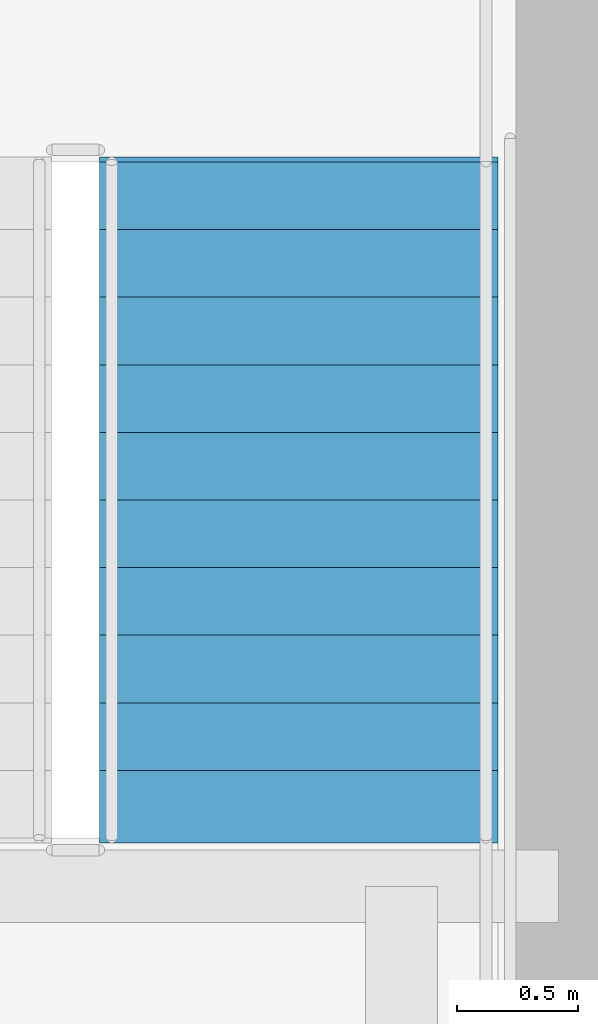
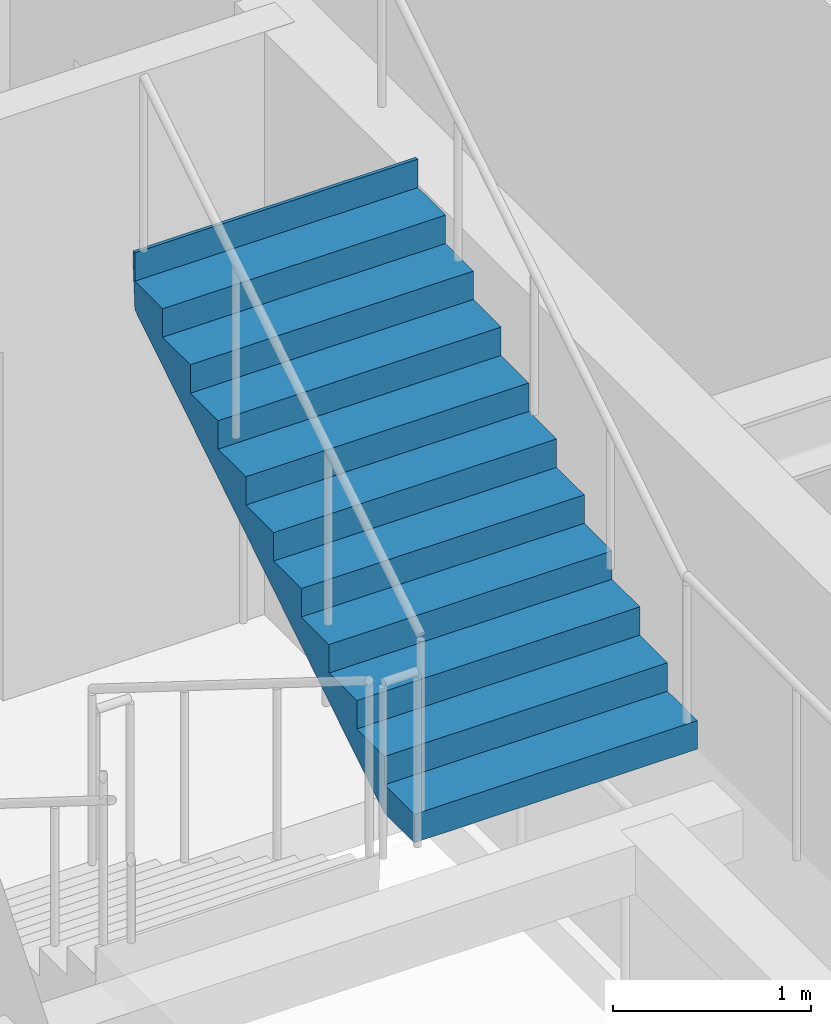
# One storey, part 32 of 37: 1 stair flight, 1 element without a shape of its own.
"""IFC4 building model written with IfcOpenShell, lengths in metres."""

from ifc_helpers import new_model, si_unit, direction, frame, origin, place, context, subcontext, project, spatial, polygons, material, type_object, element, aggregate, save


model = new_model("IFC4")

# Units and contexts
model_context = context("Model", 3, precision=1e-05, world=origin(), true_north=direction((0.0, 1.0)))
body_context = subcontext(model_context, "Body", "Model", "MODEL_VIEW")
ifc_project = project(units=[si_unit("LENGTHUNIT", "METRE"), si_unit("AREAUNIT", "SQUARE_METRE"), si_unit("VOLUMEUNIT", "CUBIC_METRE"), si_unit("PLANEANGLEUNIT", "RADIAN"), si_unit("MASSUNIT", "GRAM", prefix="KILO")], contexts=[model_context])

# Site, building, storey
site_placement = place(None, origin())
site = spatial("IfcSite", under=ifc_project, at=site_placement, CompositionType="ELEMENT")
building_placement = place(site_placement, origin())
building = spatial("IfcBuilding", under=site, at=building_placement, Name="Serunith Strait Residences", CompositionType="ELEMENT")
storey_placement = place(building_placement, frame((0.0, 0.0, 233.550048828125)))
storey = spatial("IfcBuildingStorey", under=building, at=storey_placement, Name="L58", CompositionType="ELEMENT", Elevation=233.550048828125)

# Stair, stair flight
ifc_material = material(Name="Concrete C50/60", Category="concrete")
stair_type = type_object("IfcStairType", Name="STR-CORE-2", PredefinedType="HALF_TURN_STAIR", material=ifc_material)
stair_placement = place(storey_placement, origin())
stair = element("IfcStair", 1, at=stair_placement, inside=storey, type_object=stair_type, Name="L58 Protected Escape Stair ST-2", PredefinedType="HALF_TURN_STAIR")
stair_flight_type = type_object("IfcStairFlightType", Name="FLT-CORE-2", PredefinedType="STRAIGHT", material=ifc_material)
stair_flight_placement = place(storey_placement, frame((40.324951171875, 20.570068359375, 1.925048828125), z_axis=(0.0, 0.0, 1.0), x_axis=(0.0, 1.0, 0.0)))
stair_flight = element("IfcStairFlight", 2, at=stair_flight_placement, type_object=stair_flight_type, Name="ST-2 flight 2", NumberOfRisers=11, NumberOfTreads=10, PredefinedType="STRAIGHT", RiserHeight=0.175, TreadLength=0.28, context=body_context, shape_type="Tessellation", body=[
    polygons([(-0.02001953125, -0.824951171875, 0.0), (-0.02001953125, -0.824951171875, 0.175048828125), (0.280029296875, -0.824951171875, 0.175048828125), (0.280029296875, -0.824951171875, 0.35009765625), (0.56005859375, -0.824951171875, 0.35009765625), (0.56005859375, -0.824951171875, 0.52490234375), (0.840087890625, -0.824951171875, 0.52490234375), (0.840087890625, -0.824951171875, 0.699951171875), (1.1201171875, -0.824951171875, 0.699951171875), (1.1201171875, -0.824951171875, 0.875), (1.39990234375, -0.824951171875, 0.875), (1.39990234375, -0.824951171875, 1.050048828125), (1.679931640625, -0.824951171875, 1.050048828125), (1.679931640625, -0.824951171875, 1.22509765625), (1.9599609375, -0.824951171875, 1.22509765625), (1.9599609375, -0.824951171875, 1.39990234375), (2.239990234375, -0.824951171875, 1.39990234375), (2.239990234375, -0.824951171875, 1.574951171875), (2.52001953125, -0.824951171875, 1.574951171875), (2.52001953125, -0.824951171875, 1.75), (2.800048828125, -0.824951171875, 1.75), (2.800048828125, -0.824951171875, 1.925048828125), (2.820068359375, -0.824951171875, 1.925048828125), (2.820068359375, -0.824951171875, 1.864990234375), (2.800048828125, -0.824951171875, 1.5732421875), (0.28271484375, -0.824951171875, 0.0), (-0.02001953125, -0.41259765625, 0.0), (-0.02001953125, -0.41259765625, 0.175048828125), (0.280029296875, -0.41259765625, 0.175048828125), (0.280029296875, -0.41259765625, 0.35009765625), (0.56005859375, -0.41259765625, 0.35009765625), (0.56005859375, -0.41259765625, 0.52490234375), (0.840087890625, -0.41259765625, 0.52490234375), (0.840087890625, -0.41259765625, 0.699951171875), (1.1201171875, -0.41259765625, 0.699951171875), (1.1201171875, -0.41259765625, 0.875), (1.39990234375, -0.41259765625, 0.875), (1.39990234375, -0.41259765625, 1.050048828125), (1.679931640625, -0.41259765625, 1.050048828125), (1.679931640625, -0.41259765625, 1.22509765625), (1.9599609375, -0.41259765625, 1.22509765625), (1.9599609375, -0.41259765625, 1.39990234375), (2.239990234375, -0.41259765625, 1.39990234375), (2.239990234375, -0.41259765625, 1.574951171875), (2.52001953125, -0.41259765625, 1.574951171875), (2.52001953125, -0.41259765625, 1.75), (2.800048828125, -0.41259765625, 1.75), (2.800048828125, -0.41259765625, 1.925048828125), (2.820068359375, -0.41259765625, 1.925048828125), (2.820068359375, -0.41259765625, 1.864990234375), (2.800048828125, -0.41259765625, 1.5732421875), (0.28271484375, -0.41259765625, 0.0), (-0.02001953125, 0.0, 0.0), (-0.02001953125, 0.0, 0.175048828125), (0.280029296875, 0.0, 0.175048828125), (0.280029296875, 0.0, 0.35009765625), (0.56005859375, 0.0, 0.35009765625), (0.56005859375, 0.0, 0.52490234375), (0.840087890625, 0.0, 0.52490234375), (0.840087890625, 0.0, 0.699951171875), (1.1201171875, 0.0, 0.699951171875), (1.1201171875, 0.0, 0.875), (1.39990234375, 0.0, 0.875), (1.39990234375, 0.0, 1.050048828125), (1.679931640625, 0.0, 1.050048828125), (1.679931640625, 0.0, 1.22509765625), (1.9599609375, 0.0, 1.22509765625), (1.9599609375, 0.0, 1.39990234375), (2.239990234375, 0.0, 1.39990234375), (2.239990234375, 0.0, 1.574951171875), (2.52001953125, 0.0, 1.574951171875), (2.52001953125, 0.0, 1.75), (2.800048828125, 0.0, 1.75), (2.800048828125, 0.0, 1.925048828125), (2.820068359375, 0.0, 1.925048828125), (2.820068359375, 0.0, 1.864990234375), (2.800048828125, 0.0, 1.5732421875), (0.28271484375, 0.0, 0.0), (-0.02001953125, 0.41259765625, 0.0), (-0.02001953125, 0.41259765625, 0.175048828125), (0.280029296875, 0.41259765625, 0.175048828125), (0.280029296875, 0.41259765625, 0.35009765625), (0.56005859375, 0.41259765625, 0.35009765625), (0.56005859375, 0.41259765625, 0.52490234375), (0.840087890625, 0.41259765625, 0.52490234375), (0.840087890625, 0.41259765625, 0.699951171875), (1.1201171875, 0.41259765625, 0.699951171875), (1.1201171875, 0.41259765625, 0.875), (1.39990234375, 0.41259765625, 0.875), (1.39990234375, 0.41259765625, 1.050048828125), (1.679931640625, 0.41259765625, 1.050048828125), (1.679931640625, 0.41259765625, 1.22509765625), (1.9599609375, 0.41259765625, 1.22509765625), (1.9599609375, 0.41259765625, 1.39990234375), (2.239990234375, 0.41259765625, 1.39990234375), (2.239990234375, 0.41259765625, 1.574951171875), (2.52001953125, 0.41259765625, 1.574951171875), (2.52001953125, 0.41259765625, 1.75), (2.800048828125, 0.41259765625, 1.75), (2.800048828125, 0.41259765625, 1.925048828125), (2.820068359375, 0.41259765625, 1.925048828125), (2.820068359375, 0.41259765625, 1.864990234375), (2.800048828125, 0.41259765625, 1.5732421875), (0.28271484375, 0.41259765625, 0.0), (-0.02001953125, 0.824951171875, 0.0), (-0.02001953125, 0.824951171875, 0.175048828125), (0.280029296875, 0.824951171875, 0.175048828125), (0.280029296875, 0.824951171875, 0.35009765625), (0.56005859375, 0.824951171875, 0.35009765625), (0.56005859375, 0.824951171875, 0.52490234375), (0.840087890625, 0.824951171875, 0.52490234375), (0.840087890625, 0.824951171875, 0.699951171875), (1.1201171875, 0.824951171875, 0.699951171875), (1.1201171875, 0.824951171875, 0.875), (1.39990234375, 0.824951171875, 0.875), (1.39990234375, 0.824951171875, 1.050048828125), (1.679931640625, 0.824951171875, 1.050048828125), (1.679931640625, 0.824951171875, 1.22509765625), (1.9599609375, 0.824951171875, 1.22509765625), (1.9599609375, 0.824951171875, 1.39990234375), (2.239990234375, 0.824951171875, 1.39990234375), (2.239990234375, 0.824951171875, 1.574951171875), (2.52001953125, 0.824951171875, 1.574951171875), (2.52001953125, 0.824951171875, 1.75), (2.800048828125, 0.824951171875, 1.75), (2.800048828125, 0.824951171875, 1.925048828125), (2.820068359375, 0.824951171875, 1.925048828125), (2.820068359375, 0.824951171875, 1.864990234375), (2.800048828125, 0.824951171875, 1.5732421875), (0.28271484375, 0.824951171875, 0.0)], [[[1, 2, 28, 27]], [[2, 3, 29, 28]], [[3, 4, 30, 29]], [[4, 5, 31, 30]], [[5, 6, 32, 31]], [[6, 7, 33, 32]], [[7, 8, 34, 33]], [[8, 9, 35, 34]], [[9, 10, 36, 35]], [[10, 11, 37, 36]], [[11, 12, 38, 37]], [[12, 13, 39, 38]], [[13, 14, 40, 39]], [[14, 15, 41, 40]], [[15, 16, 42, 41]], [[16, 17, 43, 42]], [[17, 18, 44, 43]], [[18, 19, 45, 44]], [[19, 20, 46, 45]], [[20, 21, 47, 46]], [[21, 22, 48, 47]], [[22, 23, 49, 48]], [[23, 24, 50, 49]], [[24, 25, 51, 50]], [[25, 26, 52, 51]], [[26, 1, 27, 52]], [[27, 28, 54, 53]], [[28, 29, 55, 54]], [[29, 30, 56, 55]], [[30, 31, 57, 56]], [[31, 32, 58, 57]], [[32, 33, 59, 58]], [[33, 34, 60, 59]], [[34, 35, 61, 60]], [[35, 36, 62, 61]], [[36, 37, 63, 62]], [[37, 38, 64, 63]], [[38, 39, 65, 64]], [[39, 40, 66, 65]], [[40, 41, 67, 66]], [[41, 42, 68, 67]], [[42, 43, 69, 68]], [[43, 44, 70, 69]], [[44, 45, 71, 70]], [[45, 46, 72, 71]], [[46, 47, 73, 72]], [[47, 48, 74, 73]], [[48, 49, 75, 74]], [[49, 50, 76, 75]], [[50, 51, 77, 76]], [[51, 52, 78, 77]], [[52, 27, 53, 78]], [[53, 54, 80, 79]], [[54, 55, 81, 80]], [[55, 56, 82, 81]], [[56, 57, 83, 82]], [[57, 58, 84, 83]], [[58, 59, 85, 84]], [[59, 60, 86, 85]], [[60, 61, 87, 86]], [[61, 62, 88, 87]], [[62, 63, 89, 88]], [[63, 64, 90, 89]], [[64, 65, 91, 90]], [[65, 66, 92, 91]], [[66, 67, 93, 92]], [[67, 68, 94, 93]], [[68, 69, 95, 94]], [[69, 70, 96, 95]], [[70, 71, 97, 96]], [[71, 72, 98, 97]], [[72, 73, 99, 98]], [[73, 74, 100, 99]], [[74, 75, 101, 100]], [[75, 76, 102, 101]], [[76, 77, 103, 102]], [[77, 78, 104, 103]], [[78, 53, 79, 104]], [[79, 80, 106, 105]], [[80, 81, 107, 106]], [[81, 82, 108, 107]], [[82, 83, 109, 108]], [[83, 84, 110, 109]], [[84, 85, 111, 110]], [[85, 86, 112, 111]], [[86, 87, 113, 112]], [[87, 88, 114, 113]], [[88, 89, 115, 114]], [[89, 90, 116, 115]], [[90, 91, 117, 116]], [[91, 92, 118, 117]], [[92, 93, 119, 118]], [[93, 94, 120, 119]], [[94, 95, 121, 120]], [[95, 96, 122, 121]], [[96, 97, 123, 122]], [[97, 98, 124, 123]], [[98, 99, 125, 124]], [[99, 100, 126, 125]], [[100, 101, 127, 126]], [[101, 102, 128, 127]], [[102, 103, 129, 128]], [[103, 104, 130, 129]], [[104, 79, 105, 130]], [[26, 25, 24, 23, 22, 21, 20, 19, 18, 17, 16, 15, 14, 13, 12, 11, 10, 9, 8, 7, 6, 5, 4, 3, 2, 1]], [[105, 106, 107, 108, 109, 110, 111, 112, 113, 114, 115, 116, 117, 118, 119, 120, 121, 122, 123, 124, 125, 126, 127, 128, 129, 130]]], closed=True),
])
aggregate(stair, [stair_flight])

save(model, "model.ifc")
